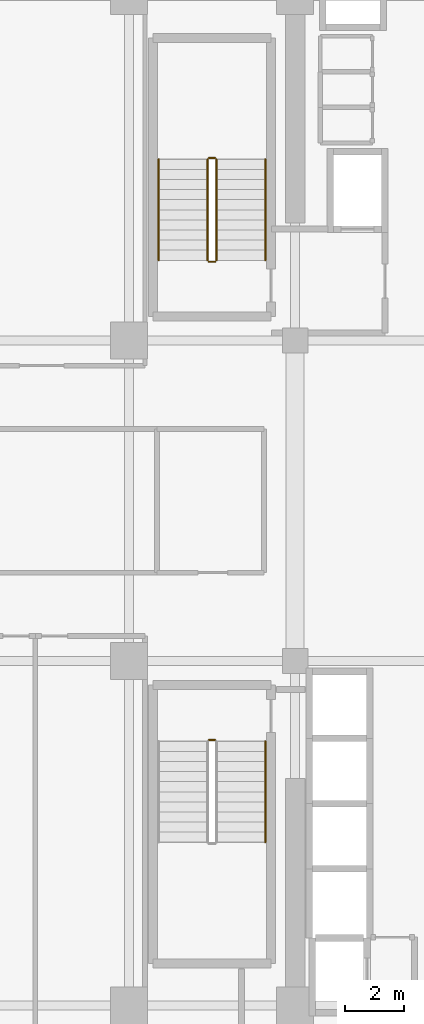
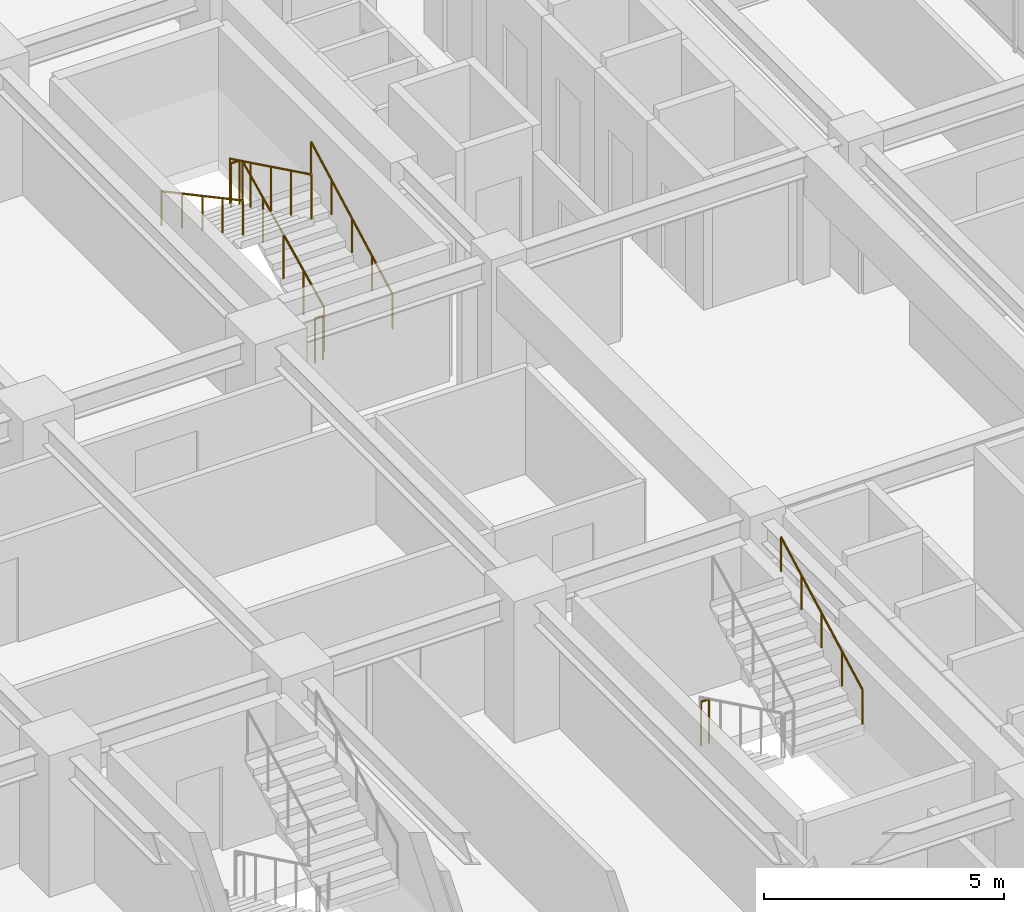
# One storey, part 31 of 32: 8 railings.
"""IFC4 building model written with IfcOpenShell, lengths in metres."""

from ifc_helpers import new_model, si_unit, direction, frame, origin, origin_2d, place, context, subcontext, project, spatial, circle, extrude, material, type_object, element, save


model = new_model("IFC4")

# Units and contexts
model_context = context("Model", 3, precision=1e-05, world=origin(), true_north=direction((0.0, 1.0)))
body_context = subcontext(model_context, "Body", "Model", "MODEL_VIEW")
ifc_project = project(units=[si_unit("LENGTHUNIT", "METRE"), si_unit("AREAUNIT", "SQUARE_METRE"), si_unit("VOLUMEUNIT", "CUBIC_METRE"), si_unit("PLANEANGLEUNIT", "RADIAN"), si_unit("MASSUNIT", "GRAM", prefix="KILO")], contexts=[model_context])

# Site, building, storey
site_placement = place(None, origin())
site = spatial("IfcSite", under=ifc_project, at=site_placement, CompositionType="ELEMENT")
building_placement = place(site_placement, origin())
building = spatial("IfcBuilding", under=site, at=building_placement, Name="Nahalor Promenade Grand Hotel", CompositionType="ELEMENT")
storey_placement = place(building_placement, frame((0.0, 0.0, 110.199951171875)))
storey = spatial("IfcBuildingStorey", under=building, at=storey_placement, Name="L27", CompositionType="ELEMENT", Elevation=110.199951171875)

# Railings
ifc_material = material(Name="Steel S355JR", Category="steel")
railing_type_1 = type_object("IfcRailingType", Name="Steel Stair Guardrail 1150 mm", PredefinedType="GUARDRAIL", material=ifc_material)
railing_1_placement = place(storey_placement, frame((5.75, 8.10009765625, 0.166015625)))
element("IfcRailing", 1, at=railing_1_placement, inside=storey, type_object=railing_type_1, Name="L27 ST1 stair guard 1", PredefinedType="GUARDRAIL", context=body_context, shape_type="SweptSolid", body=[
    extrude(circle(Radius=0.024048, at=origin_2d()), frame((0.0, 0.0, 1.1259765625), z_axis=(0.0, 0.898721922897, 0.438518990814), x_axis=(-1.0, 0.0, 0.0)), (0.0, 0.0, 1.0), 3.782958984375),
    extrude(circle(Radius=0.020996, at=origin_2d()), origin(), (0.0, 0.0, 1.0), 1.099853515625),
    extrude(circle(Radius=0.020996, at=origin_2d()), frame((0.0, 0.85009765625, 0.414794921875)), (0.0, 0.0, 1.0), 1.099853515625),
    extrude(circle(Radius=0.020996, at=origin_2d()), frame((0.0, 1.699951171875, 0.82958984375)), (0.0, 0.0, 1.0), 1.099853515625),
    extrude(circle(Radius=0.020996, at=origin_2d()), frame((0.0, 2.5498046875, 1.244140625)), (0.0, 0.0, 1.0), 1.099853515625),
    extrude(circle(Radius=0.020996, at=origin_2d()), frame((0.0, 3.39990234375, 1.658935546875)), (0.0, 0.0, 1.0), 1.099853515625),
])
railing_2_placement = place(storey_placement, frame((5.699951171875, 11.550048828125, 1.824951171875)))
element("IfcRailing", 2, at=railing_2_placement, inside=storey, type_object=railing_type_1, Name="L27 ST1 stair guard 2", PredefinedType="GUARDRAIL", context=body_context, shape_type="SweptSolid", body=[
    extrude(circle(Radius=0.024048, at=origin_2d()), frame((0.0, 0.0, 1.1259765625), z_axis=(-1.0, 0.0, 0.0), x_axis=(0.0, -1.0, 0.0)), (0.0, 0.0, 1.0), 0.199951171875),
    extrude(circle(Radius=0.020996, at=origin_2d()), origin(), (0.0, 0.0, 1.0), 1.099853515625),
    extrude(circle(Radius=0.020996, at=origin_2d()), frame((-0.199951171875, 0.0, 0.0)), (0.0, 0.0, 1.0), 1.099853515625),
])
railing_3_placement = place(storey_placement, frame((5.449951171875, 11.5, 1.990966796875)))
element("IfcRailing", 3, at=railing_3_placement, inside=storey, type_object=railing_type_1, Name="L27 ST1 stair guard 3", PredefinedType="GUARDRAIL", context=body_context, shape_type="SweptSolid", body=[
    extrude(circle(Radius=0.024048, at=origin_2d()), frame((0.0, 0.0, 1.1259765625), z_axis=(0.0, -0.898696488221, 0.438571114028), x_axis=(1.0, 0.0, 0.0)), (0.0, 0.0, 1.0), 3.783203125),
    extrude(circle(Radius=0.020996, at=origin_2d()), origin(), (0.0, 0.0, 1.0), 1.099853515625),
    extrude(circle(Radius=0.020996, at=origin_2d()), frame((0.0, -0.85009765625, 0.414794921875)), (0.0, 0.0, 1.0), 1.099853515625),
    extrude(circle(Radius=0.020996, at=origin_2d()), frame((0.0, -1.699951171875, 0.82958984375)), (0.0, 0.0, 1.0), 1.099853515625),
    extrude(circle(Radius=0.020996, at=origin_2d()), frame((0.0, -2.5498046875, 1.244384765625)), (0.0, 0.0, 1.0), 1.099853515625),
    extrude(circle(Radius=0.020996, at=origin_2d()), frame((0.0, -3.39990234375, 1.6591796875)), (0.0, 0.0, 1.0), 1.099853515625),
])
railing_4_placement = place(storey_placement, frame((5.699951171875, 8.050048828125, 0.0)))
element("IfcRailing", 4, at=railing_4_placement, inside=storey, type_object=railing_type_1, Name="L27 ST1 stair guard 4", PredefinedType="GUARDRAIL", context=body_context, shape_type="SweptSolid", body=[
    extrude(circle(Radius=0.024048, at=origin_2d()), frame((0.0, 0.0, 1.1259765625), z_axis=(-1.0, 0.0, 0.0), x_axis=(0.0, -1.0, 0.0)), (0.0, 0.0, 1.0), 0.199951171875),
    extrude(circle(Radius=0.020996, at=origin_2d()), origin(), (0.0, 0.0, 1.0), 1.099853515625),
    extrude(circle(Radius=0.020996, at=origin_2d()), frame((-0.199951171875, 0.0, 0.0)), (0.0, 0.0, 1.0), 1.099853515625),
])
railing_5_placement = place(storey_placement, frame((5.5, -8.050048828125, 0.0)))
element("IfcRailing", 5, at=railing_5_placement, inside=storey, type_object=railing_type_1, Name="L27 ST2 stair guard 4", PredefinedType="GUARDRAIL", context=body_context, shape_type="SweptSolid", body=[
    extrude(circle(Radius=0.024048, at=origin_2d()), frame((0.0, 0.0, 1.1259765625), z_axis=(1.0, 0.0, 0.0), x_axis=(0.0, 1.0, 0.0)), (0.0, 0.0, 1.0), 0.199951171875),
    extrude(circle(Radius=0.020996, at=origin_2d()), origin(), (0.0, 0.0, 1.0), 1.099853515625),
    extrude(circle(Radius=0.020996, at=origin_2d()), frame((0.199951171875, 0.0, 0.0)), (0.0, 0.0, 1.0), 1.099853515625),
])
railing_type_2 = type_object("IfcRailingType", Name="Steel Stair Handrail 900 mm", PredefinedType="HANDRAIL", material=ifc_material)
railing_6_placement = place(storey_placement, frame((7.39990234375, 8.10009765625, 0.166015625)))
element("IfcRailing", 6, at=railing_6_placement, inside=storey, type_object=railing_type_2, Name="L27 ST1 stair handrail 1", PredefinedType="HANDRAIL", context=body_context, shape_type="SweptSolid", body=[
    extrude(circle(Radius=0.024048, at=origin_2d()), frame((0.0, 0.0, 0.8759765625), z_axis=(0.0, 0.881094038095, 0.47294111265), x_axis=(-1.0, 0.0, 0.0)), (0.0, 0.0, 1.0), 3.858642578125),
    extrude(circle(Radius=0.020996, at=origin_2d()), origin(), (0.0, 0.0, 1.0), 0.849853515625),
    extrude(circle(Radius=0.020996, at=origin_2d()), frame((0.0, 0.85009765625, 0.456298828125)), (0.0, 0.0, 1.0), 0.849853515625),
    extrude(circle(Radius=0.020996, at=origin_2d()), frame((0.0, 1.699951171875, 0.91259765625)), (0.0, 0.0, 1.0), 0.849853515625),
    extrude(circle(Radius=0.020996, at=origin_2d()), frame((0.0, 2.5498046875, 1.36865234375)), (0.0, 0.0, 1.0), 0.849853515625),
    extrude(circle(Radius=0.020996, at=origin_2d()), frame((0.0, 3.39990234375, 1.824951171875)), (0.0, 0.0, 1.0), 0.849853515625),
])
railing_7_placement = place(storey_placement, frame((3.800048828125, 11.5, 1.990966796875)))
element("IfcRailing", 7, at=railing_7_placement, inside=storey, type_object=railing_type_2, Name="L27 ST1 stair handrail 2", PredefinedType="HANDRAIL", context=body_context, shape_type="SweptSolid", body=[
    extrude(circle(Radius=0.024048, at=origin_2d()), frame((0.0, 0.0, 0.8759765625), z_axis=(0.0, -0.881094038095, 0.47294111265), x_axis=(1.0, 0.0, 0.0)), (0.0, 0.0, 1.0), 3.858642578125),
    extrude(circle(Radius=0.020996, at=origin_2d()), origin(), (0.0, 0.0, 1.0), 0.849853515625),
    extrude(circle(Radius=0.020996, at=origin_2d()), frame((0.0, -0.85009765625, 0.456298828125)), (0.0, 0.0, 1.0), 0.849853515625),
    extrude(circle(Radius=0.020996, at=origin_2d()), frame((0.0, -1.699951171875, 0.91259765625)), (0.0, 0.0, 1.0), 0.849853515625),
    extrude(circle(Radius=0.020996, at=origin_2d()), frame((0.0, -2.5498046875, 1.36865234375)), (0.0, 0.0, 1.0), 0.849853515625),
    extrude(circle(Radius=0.020996, at=origin_2d()), frame((0.0, -3.39990234375, 1.824951171875)), (0.0, 0.0, 1.0), 0.849853515625),
])
railing_8_placement = place(storey_placement, frame((7.39990234375, -11.5, 1.990966796875)))
element("IfcRailing", 8, at=railing_8_placement, inside=storey, type_object=railing_type_2, Name="L27 ST2 stair handrail 2", PredefinedType="HANDRAIL", context=body_context, shape_type="SweptSolid", body=[
    extrude(circle(Radius=0.024048, at=origin_2d()), frame((0.0, 0.0, 0.8759765625), z_axis=(0.0, 0.881094038095, 0.47294111265), x_axis=(-1.0, 0.0, 0.0)), (0.0, 0.0, 1.0), 3.858642578125),
    extrude(circle(Radius=0.020996, at=origin_2d()), origin(), (0.0, 0.0, 1.0), 0.849853515625),
    extrude(circle(Radius=0.020996, at=origin_2d()), frame((0.0, 0.85009765625, 0.456298828125)), (0.0, 0.0, 1.0), 0.849853515625),
    extrude(circle(Radius=0.020996, at=origin_2d()), frame((0.0, 1.699951171875, 0.91259765625)), (0.0, 0.0, 1.0), 0.849853515625),
    extrude(circle(Radius=0.020996, at=origin_2d()), frame((0.0, 2.5498046875, 1.36865234375)), (0.0, 0.0, 1.0), 0.849853515625),
    extrude(circle(Radius=0.020996, at=origin_2d()), frame((0.0, 3.39990234375, 1.824951171875)), (0.0, 0.0, 1.0), 0.849853515625),
])

save(model, "model.ifc")
